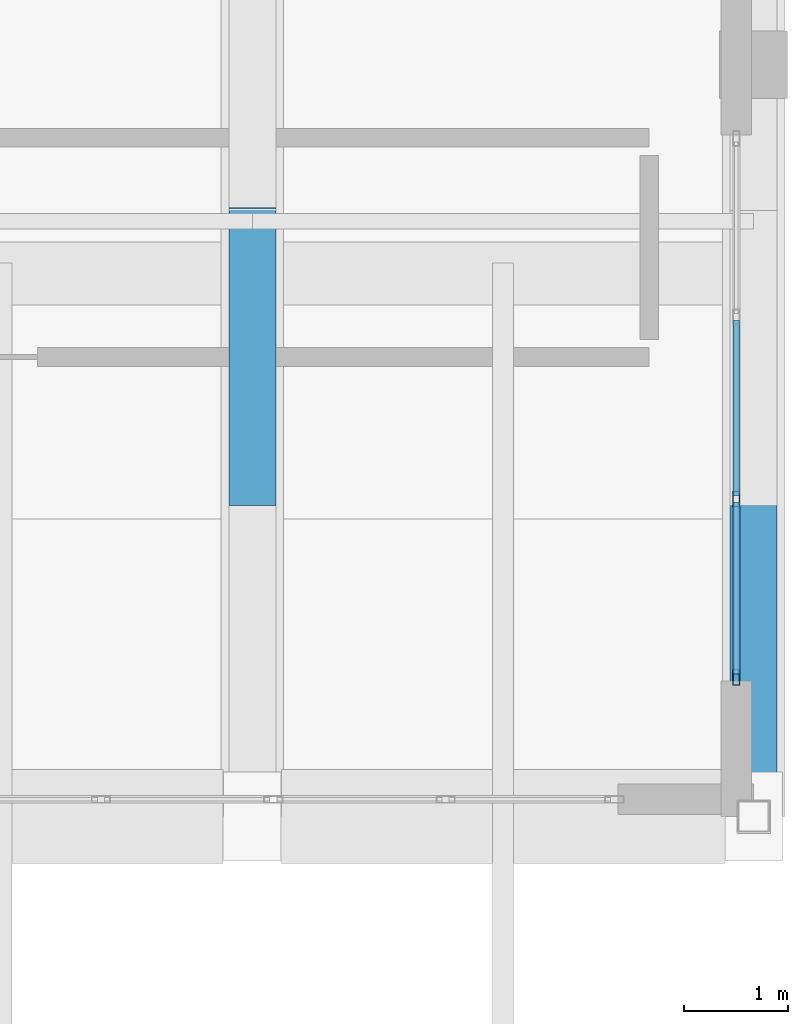
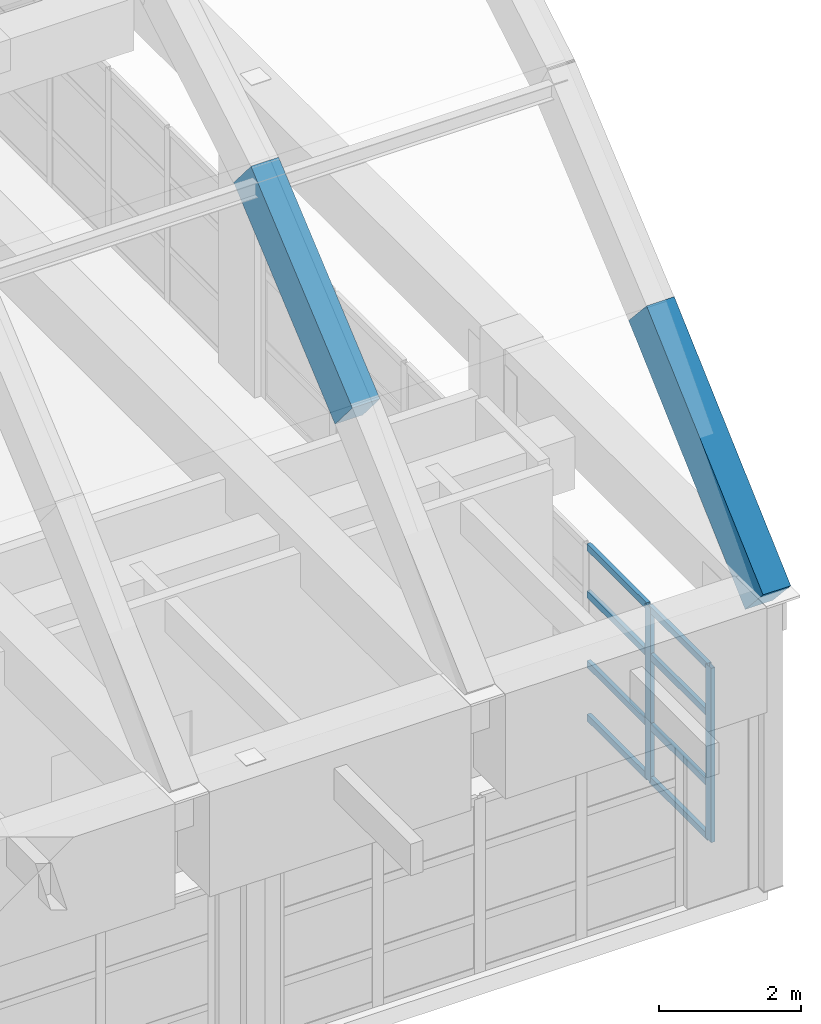
# One storey, part 44 of 78: 10 members, 2 beams, 1 element without a shape of its own.
"""IFC4 building model written with IfcOpenShell, lengths in metres."""

from ifc_helpers import new_model, si_unit, direction, frame, origin, origin_2d, place, context, subcontext, project, spatial, rectangle, hollow_rectangle, extrude, material, layer, layer_set, material_profile, profile_set, type_object, element, aggregate, save


model = new_model("IFC4")

# Units and contexts
model_context = context("Model", 3, precision=1e-05, world=origin(), true_north=direction((0.0, 1.0)))
body_context = subcontext(model_context, "Body", "Model", "MODEL_VIEW")
ifc_project = project(units=[si_unit("LENGTHUNIT", "METRE"), si_unit("AREAUNIT", "SQUARE_METRE"), si_unit("VOLUMEUNIT", "CUBIC_METRE"), si_unit("PLANEANGLEUNIT", "RADIAN"), si_unit("MASSUNIT", "GRAM", prefix="KILO")], contexts=[model_context])

# Site, building, storey
site_placement = place(None, origin())
site = spatial("IfcSite", under=ifc_project, at=site_placement, CompositionType="ELEMENT")
building_placement = place(site_placement, origin())
building = spatial("IfcBuilding", under=site, at=building_placement, Name="Quendrovan Civic Courthouse", CompositionType="ELEMENT")
storey_placement = place(building_placement, frame((0.0, 0.0, 20.39990234375)))
storey = spatial("IfcBuildingStorey", under=building, at=storey_placement, Name="L05", CompositionType="ELEMENT", Elevation=20.39990234375)

# Beams
ifc_material_1 = material(Name="Concrete C40/50", Category="concrete")
ifc_material_profile_1 = material_profile(ifc_material_1, rectangle(XDim=0.449951171875, YDim=0.75, at=origin_2d()), Name="RC-VRIB-450x750")
ifc_profile_set_1 = profile_set([ifc_material_profile_1], Name="Concrete C40/50")
beam_type = type_object("IfcBeamType", Name="BM-VRIB750", PredefinedType="BEAM", material=ifc_profile_set_1)
beam_1_placement = place(storey_placement, frame((138.0, 90.822021484375, 7.818603515625), z_axis=(0.0, 0.762387086329, 0.647121264214), x_axis=(-1.0, 0.0, 0.0)))
element("IfcBeam", 1, at=beam_1_placement, inside=storey, type_object=beam_type, Name="BV1 Concrete Vault Arch Rib A7-C2", PredefinedType="BEAM", context=body_context, shape_type="SweptSolid", body=[
    extrude(rectangle(XDim=0.449951171875, YDim=0.75, at=origin_2d()), origin(), (0.0, 0.0, 1.0), 3.73828125),
])
beam_2_placement = place(storey_placement, frame((142.800048828125, 87.60009765625, 4.900146484375), z_axis=(0.0, 0.740733725172, 0.671798740988), x_axis=(-1.0, 0.0, 0.0)))
element("IfcBeam", 2, at=beam_2_placement, inside=storey, type_object=beam_type, Name="BV1 Concrete Vault Arch Rib A8-C1", PredefinedType="BEAM", context=body_context, shape_type="SweptSolid", body=[
    extrude(rectangle(XDim=0.449951171875, YDim=0.75, at=origin_2d()), origin(), (0.0, 0.0, 1.0), 4.423583984375),
])

# Curtain wall, members
ifc_material_2 = material(Name="Bronze anodised aluminium and low-E glass", Category="aluminium")
ifc_layer = layer(ifc_material_2, 0.179931640625, Name="Bronze anodised aluminium and low-E glass")
ifc_layer_set = layer_set([ifc_layer], Name="Bronze anodised aluminium and low-E glass")
curtain_wall_type = type_object("IfcCurtainWallType", Name="CW-U52x30", PredefinedType="USERDEFINED", material=ifc_layer_set)
curtain_wall_placement = place(storey_placement, origin())
curtain_wall = element("IfcCurtainWall", 3, at=curtain_wall_placement, inside=storey, type_object=curtain_wall_type, Name="L05 Unitised Hurricane Curtain Wall CW-197", ObjectType="UNITISED CURTAIN WALL", PredefinedType="USERDEFINED")
ifc_material_3 = material(Name="Bronze anodised aluminium", Category="aluminium")
ifc_material_profile_2 = material_profile(ifc_material_3, hollow_rectangle(XDim=0.06494140625, YDim=0.14990234375, WallThickness=0.00390625, at=origin_2d()), Name="CW-MULL-65x150")
ifc_profile_set_2 = profile_set([ifc_material_profile_2], Name="Bronze anodised aluminium")
member_type_1 = type_object("IfcMemberType", Name="CW-MULL-B", PredefinedType="MULLION", material=ifc_profile_set_2)
member_1_placement = place(storey_placement, frame((142.635009765625, 90.6416015625, 0.0), z_axis=(0.0, 0.0, 1.0), x_axis=(1.0, 0.0, 0.0)))
member_1 = element("IfcMember", 4, at=member_1_placement, type_object=member_type_1, Name="CW-197 mullion 3", PredefinedType="MULLION", context=body_context, shape_type="SweptSolid", body=[
    extrude(hollow_rectangle(XDim=0.06494140625, YDim=0.14990234375, WallThickness=0.00390625, at=origin_2d()), origin(), (0.0, 0.0, 1.0), 2.989990234375),
])
member_2_placement = place(storey_placement, frame((142.635009765625, 88.9326171875, 0.0), z_axis=(0.0, 0.0, 1.0), x_axis=(1.0, 0.0, 0.0)))
member_2 = element("IfcMember", 5, at=member_2_placement, type_object=member_type_1, Name="CW-197 mullion 4", PredefinedType="MULLION", context=body_context, shape_type="SweptSolid", body=[
    extrude(hollow_rectangle(XDim=0.06494140625, YDim=0.14990234375, WallThickness=0.00390625, at=origin_2d()), origin(), (0.0, 0.0, 1.0), 2.989990234375),
])
ifc_material_profile_3 = material_profile(ifc_material_3, hollow_rectangle(XDim=0.06494140625, YDim=0.114990234375, WallThickness=0.00390625, at=origin_2d()), Name="CW-TRAN-65x115")
ifc_profile_set_3 = profile_set([ifc_material_profile_3], Name="Bronze anodised aluminium")
member_type_2 = type_object("IfcMemberType", Name="CW-TRAN-B", PredefinedType="USERDEFINED", material=ifc_profile_set_3)
member_3_placement = place(storey_placement, frame((142.635009765625, 92.350830078125, 0.03271484375), z_axis=(0.0, -1.0, 0.0), x_axis=(1.0, 0.0, 0.0)))
member_3 = element("IfcMember", 6, at=member_3_placement, type_object=member_type_2, Name="CW-197 transom 2.1", ObjectType="TRANSOM", PredefinedType="USERDEFINED", context=body_context, shape_type="SweptSolid", body=[
    extrude(hollow_rectangle(XDim=0.06494140625, YDim=0.114990234375, WallThickness=0.00390625, at=origin_2d()), origin(), (0.0, 0.0, 1.0), 1.6767578125),
])
member_4_placement = place(storey_placement, frame((142.635009765625, 92.350830078125, 0.9501953125), z_axis=(0.0, -1.0, 0.0), x_axis=(1.0, 0.0, 0.0)))
member_4 = element("IfcMember", 7, at=member_4_placement, type_object=member_type_2, Name="CW-197 transom 2.2", ObjectType="TRANSOM", PredefinedType="USERDEFINED", context=body_context, shape_type="SweptSolid", body=[
    extrude(hollow_rectangle(XDim=0.06494140625, YDim=0.114990234375, WallThickness=0.00390625, at=origin_2d()), origin(), (0.0, 0.0, 1.0), 1.6767578125),
])
member_5_placement = place(storey_placement, frame((142.635009765625, 92.350830078125, 2.150146484375), z_axis=(0.0, -1.0, 0.0), x_axis=(1.0, 0.0, 0.0)))
member_5 = element("IfcMember", 8, at=member_5_placement, type_object=member_type_2, Name="CW-197 transom 2.3", ObjectType="TRANSOM", PredefinedType="USERDEFINED", context=body_context, shape_type="SweptSolid", body=[
    extrude(hollow_rectangle(XDim=0.06494140625, YDim=0.114990234375, WallThickness=0.00390625, at=origin_2d()), origin(), (0.0, 0.0, 1.0), 1.6767578125),
])
member_6_placement = place(storey_placement, frame((142.635009765625, 92.350830078125, 2.95751953125), z_axis=(0.0, -1.0, 0.0), x_axis=(1.0, 0.0, 0.0)))
member_6 = element("IfcMember", 9, at=member_6_placement, type_object=member_type_2, Name="CW-197 transom 2.4", ObjectType="TRANSOM", PredefinedType="USERDEFINED", context=body_context, shape_type="SweptSolid", body=[
    extrude(hollow_rectangle(XDim=0.06494140625, YDim=0.114990234375, WallThickness=0.00390625, at=origin_2d()), origin(), (0.0, 0.0, 1.0), 1.6767578125),
])
member_7_placement = place(storey_placement, frame((142.635009765625, 90.609130859375, 0.03271484375), z_axis=(0.0, -1.0, 0.0), x_axis=(1.0, 0.0, 0.0)))
member_7 = element("IfcMember", 10, at=member_7_placement, type_object=member_type_2, Name="CW-197 transom 3.1", ObjectType="TRANSOM", PredefinedType="USERDEFINED", context=body_context, shape_type="SweptSolid", body=[
    extrude(hollow_rectangle(XDim=0.06494140625, YDim=0.114990234375, WallThickness=0.00390625, at=origin_2d()), origin(), (0.0, 0.0, 1.0), 1.64404296875),
])
member_8_placement = place(storey_placement, frame((142.635009765625, 90.609130859375, 0.9501953125), z_axis=(0.0, -1.0, 0.0), x_axis=(1.0, 0.0, 0.0)))
member_8 = element("IfcMember", 11, at=member_8_placement, type_object=member_type_2, Name="CW-197 transom 3.2", ObjectType="TRANSOM", PredefinedType="USERDEFINED", context=body_context, shape_type="SweptSolid", body=[
    extrude(hollow_rectangle(XDim=0.06494140625, YDim=0.114990234375, WallThickness=0.00390625, at=origin_2d()), origin(), (0.0, 0.0, 1.0), 1.64404296875),
])
member_9_placement = place(storey_placement, frame((142.635009765625, 90.609130859375, 2.150146484375), z_axis=(0.0, -1.0, 0.0), x_axis=(1.0, 0.0, 0.0)))
member_9 = element("IfcMember", 12, at=member_9_placement, type_object=member_type_2, Name="CW-197 transom 3.3", ObjectType="TRANSOM", PredefinedType="USERDEFINED", context=body_context, shape_type="SweptSolid", body=[
    extrude(hollow_rectangle(XDim=0.06494140625, YDim=0.114990234375, WallThickness=0.00390625, at=origin_2d()), origin(), (0.0, 0.0, 1.0), 1.64404296875),
])
member_10_placement = place(storey_placement, frame((142.635009765625, 90.609130859375, 2.95751953125), z_axis=(0.0, -1.0, 0.0), x_axis=(1.0, 0.0, 0.0)))
member_10 = element("IfcMember", 13, at=member_10_placement, type_object=member_type_2, Name="CW-197 transom 3.4", ObjectType="TRANSOM", PredefinedType="USERDEFINED", context=body_context, shape_type="SweptSolid", body=[
    extrude(hollow_rectangle(XDim=0.06494140625, YDim=0.114990234375, WallThickness=0.00390625, at=origin_2d()), origin(), (0.0, 0.0, 1.0), 1.64404296875),
])
aggregate(curtain_wall, [member_1, member_2, member_3, member_4, member_5, member_6, member_7, member_8, member_9, member_10])

save(model, "model.ifc")
